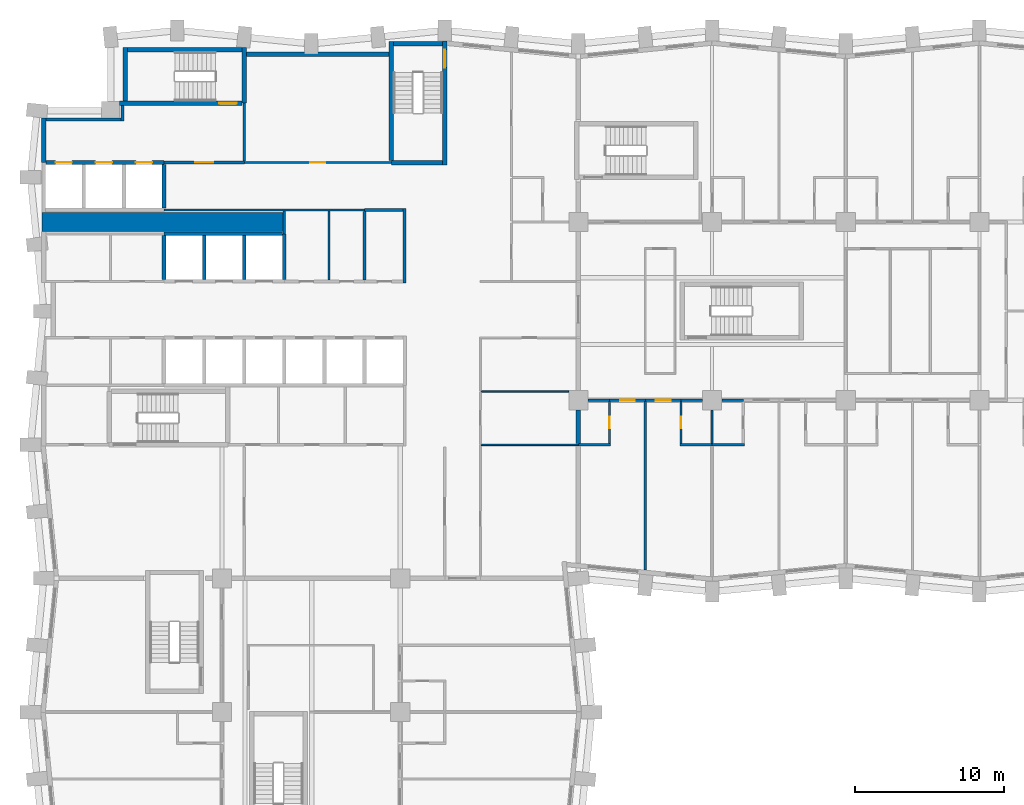
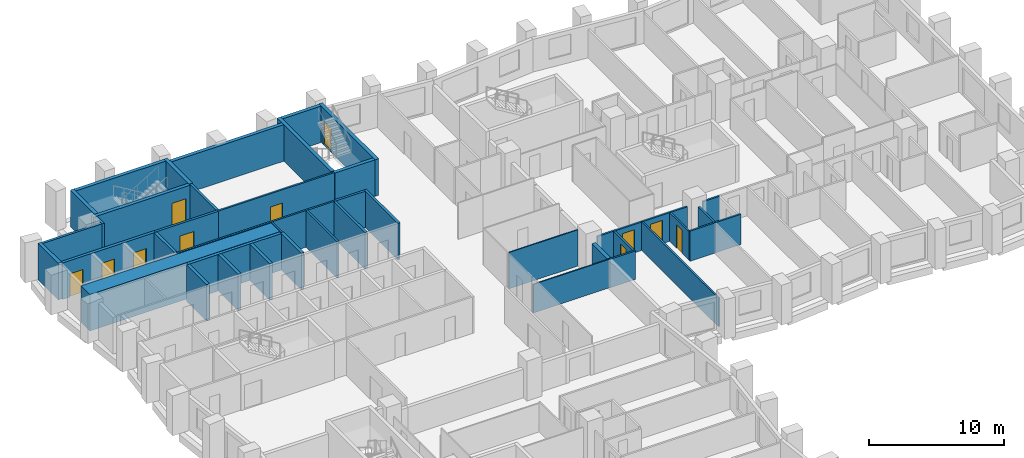
# One storey, part 7 of 13: 44 walls, 11 doors, 11 openings.
"""IFC4 building model written with IfcOpenShell, lengths in metres."""

import ifcopenshell
import ifcopenshell.guid

model = None  # the IFC model being written
_history = None  # IfcOwnerHistory: only IFC2X3 demands one
_inside = {}  # id of a spatial element -> (the spatial element, [elements in it])
_under = {}  # id of a project, library or spatial element -> (it, [spatial elements below it])
_declared = {}  # id of a project -> (the project, [libraries it declares])
_typed = {}  # id of a type object -> (the type object, [elements of that type])
_made_of = {}  # id of a material, layer set ... -> (it, [elements and type objects made of it])


def new_model(schema):
    """Start an empty IFC model of exactly this schema.

    Asked for "IFC4X3", IfcOpenShell would pick the latest addendum, in which some entities
    have other attributes; the version numbers below select the first issue.
    IFC2X3 requires an IfcOwnerHistory on every rooted entity: one is made here for all.
    """
    global model, _history
    if schema == "IFC4X3":
        model = ifcopenshell.file(schema_version=(4, 3, 0, 0))
    else:
        model = ifcopenshell.file(schema=schema)
    _inside.clear()
    _under.clear()
    _declared.clear()
    _typed.clear()
    _made_of.clear()
    _history = None
    if model.schema == "IFC2X3":
        org = make("IfcOrganization", Name="unknown")
        user = make(
            "IfcPersonAndOrganization",
            ThePerson=make("IfcPerson", FamilyName="unknown"),
            TheOrganization=org,
        )
        app = make(
            "IfcApplication",
            ApplicationDeveloper=org,
            Version="unknown",
            ApplicationFullName="unknown",
            ApplicationIdentifier="unknown",
        )
        _history = make(
            "IfcOwnerHistory",
            OwningUser=user,
            OwningApplication=app,
            ChangeAction="ADDED",
            CreationDate=0,
        )
    return model


def make(cls, **values):
    """One entity of the class cls with the attributes given. An attribute that is None is left unset."""
    return model.create_entity(
        cls, **{name: value for name, value in values.items() if value is not None}
    )


def rooted(cls, **values):
    """An entity with a GlobalId (a new one), such as an element, a storey or a relation."""
    return make(cls, GlobalId=ifcopenshell.guid.new(), OwnerHistory=_history, **values)


def si_unit(unit_type, name, prefix=None):
    """IfcSIUnit, for example si_unit("LENGTHUNIT", "METRE", prefix="MILLI")."""
    return make("IfcSIUnit", UnitType=unit_type, Prefix=prefix, Name=name)


def assignment(units):
    """IfcUnitAssignment: the units of a project."""
    return None if units is None else make("IfcUnitAssignment", Units=units)


def point(xyz):
    """IfcCartesianPoint."""
    return None if xyz is None else make("IfcCartesianPoint", Coordinates=xyz)


def direction(xyz):
    """IfcDirection."""
    return None if xyz is None else make("IfcDirection", DirectionRatios=xyz)


def frame(location, z_axis=None, x_axis=None):
    """IfcAxis2Placement3D, a coordinate frame: its origin and axes. An axis left out is left unset."""
    return make(
        "IfcAxis2Placement3D",
        Location=point(location),
        Axis=direction(z_axis),
        RefDirection=direction(x_axis),
    )


def frame_2d(location, x_axis=None):
    """IfcAxis2Placement2D, a coordinate frame in the plane: its origin and x axis."""
    return make(
        "IfcAxis2Placement2D", Location=point(location), RefDirection=direction(x_axis)
    )


def origin():
    """The frame at (0, 0, 0) with its axes left unset."""
    return frame((0.0, 0.0, 0.0))


def place(relative_to, where):
    """IfcLocalPlacement: puts the frame where relative to a parent placement (None: the world)."""
    return make(
        "IfcLocalPlacement", PlacementRelTo=relative_to, RelativePlacement=where
    )


def context(
    kind, dimensions, precision=None, world=None, true_north=None, identifier=None
):
    """IfcGeometricRepresentationContext, for example the 3D "Model" context."""
    return make(
        "IfcGeometricRepresentationContext",
        ContextIdentifier=identifier,
        ContextType=kind,
        CoordinateSpaceDimension=dimensions,
        Precision=precision,
        WorldCoordinateSystem=world,
        TrueNorth=true_north,
    )


def subcontext(parent, identifier, kind, view, scale=None):
    """IfcGeometricRepresentationSubContext, for example "Body" below "Model"."""
    return make(
        "IfcGeometricRepresentationSubContext",
        ContextIdentifier=identifier,
        ContextType=kind,
        ParentContext=parent,
        TargetScale=scale,
        TargetView=view,
    )


def project(units=None, contexts=None):
    """IfcProject with its units and contexts."""
    return rooted(
        "IfcProject",
        Name="project",
        RepresentationContexts=contexts,
        UnitsInContext=assignment(units),
    )


def spatial(cls, under=None, at=None, **own):
    """A site, building, storey or space (cls), placed at a placement, below another one or the project."""
    s = rooted(cls, ObjectPlacement=at, **own)
    if under is not None:
        _under.setdefault(under.id(), (under, []))[1].append(s)
    return s


def profile(cls, at=None, kind="AREA", **sizes):
    """A parametric profile (cls). Its sizes go by their IFC names, for example OverallWidth=200.0."""
    return make(cls, ProfileType=kind, Position=at, **sizes)


def rectangle(**sizes):
    """IfcRectangleProfileDef."""
    return profile("IfcRectangleProfileDef", **sizes)


def extrude(swept, where, along, depth):
    """IfcExtrudedAreaSolid: the profile swept, set in the frame where, extruded along a direction by depth."""
    return make(
        "IfcExtrudedAreaSolid",
        SweptArea=swept,
        Position=where,
        ExtrudedDirection=direction(along),
        Depth=depth,
    )


def shape(context_of_items, identifier, shape_type, items):
    """IfcShapeRepresentation: the items that make up one representation, for example the "Body"."""
    return make(
        "IfcShapeRepresentation",
        ContextOfItems=context_of_items,
        RepresentationIdentifier=identifier,
        RepresentationType=shape_type,
        Items=items,
    )


def material(Name=None, Category=None):
    """IfcMaterial."""
    return make("IfcMaterial", Name=Name, Category=Category)


def layer(
    of_material, thickness, ventilated=None, Name=None, Category=None, Priority=None
):
    """IfcMaterialLayer: one layer of a wall or slab, of a material (None: an air gap)."""
    return make(
        "IfcMaterialLayer",
        Material=of_material,
        LayerThickness=thickness,
        IsVentilated=ventilated,
        Name=Name,
        Category=Category,
        Priority=Priority,
    )


def layer_set(layers, Name=None):
    """IfcMaterialLayerSet."""
    return make("IfcMaterialLayerSet", MaterialLayers=layers, LayerSetName=Name)


def made_of(thing, what):
    """Note that an element or type object is made of a material, layer set ...; save() writes the relation."""
    if what is not None:
        _made_of.setdefault(what.id(), (what, []))[1].append(thing)
    return thing


def type_object(cls, material=None, **own):
    """A type object (cls), such as IfcWallType, which elements share."""
    return made_of(rooted(cls, **own), material)


def element(
    cls,
    number,
    at=None,
    inside=None,
    cuts=None,
    type_object=None,
    material=None,
    context=None,
    identifier="Body",
    shape_type=None,
    held_by="IfcProductDefinitionShape",
    body=None,
    shapes=None,
    **own,
):
    """One element of the class cls, such as IfcWall. Its Tag is "e" and its number.

    at: its placement. inside: the storey or other place that contains it. cuts: it is an
    opening in that element (IfcRelVoidsElement). A single representation is given by context,
    identifier, shape_type and body (its items); several are given by shapes. held_by: the class
    of the entity that holds the representations. save() writes the other relations.
    """
    e = rooted(cls, Tag="e%d" % number, ObjectPlacement=at, **own)
    if body is not None:
        shapes = [shape(context, identifier, shape_type, body)]
    if shapes is not None:
        e.Representation = make(held_by, Representations=shapes)
    if inside is not None:
        _inside.setdefault(inside.id(), (inside, []))[1].append(e)
    if cuts is not None:
        rooted(
            "IfcRelVoidsElement", RelatingBuildingElement=cuts, RelatedOpeningElement=e
        )
    if type_object is not None:
        _typed.setdefault(type_object.id(), (type_object, []))[1].append(e)
    return made_of(e, material)


def fill(opening, filler):
    """IfcRelFillsElement: the door or window that sits in an opening."""
    return rooted(
        "IfcRelFillsElement",
        RelatingOpeningElement=opening,
        RelatedBuildingElement=filler,
    )


def aggregate(whole, parts):
    """IfcRelAggregates: a whole, such as a stair, and the parts it consists of."""
    return rooted("IfcRelAggregates", RelatingObject=whole, RelatedObjects=parts)


def save(model, path):
    """Write the relations noted so far, then the file.

    IfcRelAggregates (storeys below a building ...), IfcRelContainedInSpatialStructure (elements
    in a storey), IfcRelDefinesByType, IfcRelAssociatesMaterial and IfcRelDeclares: one each for
    every whole, place, type object, material and project.
    """
    for whole, parts in _under.values():
        aggregate(whole, parts)
    for where, things in _inside.values():
        rooted(
            "IfcRelContainedInSpatialStructure",
            RelatedElements=things,
            RelatingStructure=where,
        )
    for kind, things in _typed.values():
        rooted("IfcRelDefinesByType", RelatedObjects=things, RelatingType=kind)
    for what, things in _made_of.values():
        rooted("IfcRelAssociatesMaterial", RelatedObjects=things, RelatingMaterial=what)
    for by, libraries in _declared.values():
        rooted("IfcRelDeclares", RelatingContext=by, RelatedDefinitions=libraries)
    model.write(path)


model = new_model("IFC4")

# Units and contexts
model_context = context("Model", 3, precision=1e-05, world=origin(), true_north=direction((0.0, 1.0)))
body_context = subcontext(model_context, "Body", "Model", "MODEL_VIEW")
ifc_project = project(units=[si_unit("LENGTHUNIT", "METRE"), si_unit("AREAUNIT", "SQUARE_METRE"), si_unit("VOLUMEUNIT", "CUBIC_METRE"), si_unit("PLANEANGLEUNIT", "RADIAN"), si_unit("MASSUNIT", "GRAM", prefix="KILO")], contexts=[model_context])

# Site, building, storey
site_placement = place(None, origin())
site = spatial("IfcSite", under=ifc_project, at=site_placement, CompositionType="ELEMENT")
building_placement = place(site_placement, origin())
building = spatial("IfcBuilding", under=site, at=building_placement, Name="Brondeck Convention Tower", CompositionType="ELEMENT")
storey_placement = place(building_placement, frame((0.0, 0.0, 41.10009765625)))
storey = spatial("IfcBuildingStorey", under=building, at=storey_placement, Name="L07", CompositionType="ELEMENT", Elevation=41.10009765625)

# Walls
ifc_material_1 = material(Name="Concrete compartment wall C30/37", Category="concrete")
ifc_layer_1 = layer(ifc_material_1, 0.300048828125)
ifc_layer_set_1 = layer_set([ifc_layer_1], Name="Compartment wall 300")
wall_type_1 = type_object("IfcWallType", Name="Compartment wall 300", PredefinedType="PARTITIONING", material=ifc_layer_set_1)
wall_1_placement = place(storey_placement, frame((36.0, 38.344970703125, 0.0), z_axis=(0.0, 0.0, 1.0), x_axis=(0.0, -1.0, 0.0)))
element("IfcWall", 1, at=wall_1_placement, inside=storey, type_object=wall_type_1, Name="FLR-L07-W077", PredefinedType="PARTITIONING", context=body_context, shape_type="SweptSolid", body=[
    extrude(rectangle(XDim=2.27001953125, YDim=0.300048828125, at=frame_2d((1.135009765625, 0.0))), origin(), (0.0, 0.0, 1.0), 2.579833984375),
])
ifc_material_2 = material(Name="Concrete C80/95", Category="concrete")
ifc_layer_2 = layer(ifc_material_2, 0.199951171875)
ifc_layer_set_2 = layer_set([ifc_layer_2], Name="Core beam-seat wall 200 Concrete C80/95")
wall_type_2 = type_object("IfcWallType", Name="Core beam-seat wall 200 Concrete C80/95", PredefinedType="SHEAR", material=ifc_layer_set_2)
wall_2_placement = place(storey_placement, frame((24.300048828125, 46.89990234375, 0.0), z_axis=(0.0, 0.0, 1.0), x_axis=(0.0, 1.0, 0.0)))
element("IfcWall", 2, at=wall_2_placement, inside=storey, type_object=wall_type_2, Name="L07 core wall", PredefinedType="SHEAR", context=body_context, shape_type="SweptSolid", body=[
    extrude(rectangle(XDim=5.0, YDim=0.199951171875, at=frame_2d((2.5, 0.0))), origin(), (0.0, 0.0, 1.0), 3.2998046875),
])
ifc_layer_3 = layer(ifc_material_2, 0.300048828125)
ifc_layer_set_3 = layer_set([ifc_layer_3], Name="Core outer wall 300 Concrete C80/95")
wall_type_3 = type_object("IfcWallType", Name="Core outer wall 300 Concrete C80/95", PredefinedType="SHEAR", material=ifc_layer_set_3)
wall_3_placement = place(storey_placement, frame((13.64990234375, 62.300048828125, 0.0), z_axis=(0.0, 0.0, 1.0), x_axis=(1.0, 0.0, 0.0)))
element("IfcWall", 3, at=wall_3_placement, inside=storey, type_object=wall_type_3, Name="L07 core wall", PredefinedType="SHEAR", context=body_context, shape_type="SweptSolid", body=[
    extrude(rectangle(XDim=9.60009765625, YDim=0.300048828125, at=frame_2d((4.800048828125, 0.0))), origin(), (0.0, 0.0, 1.0), 3.2998046875),
])
wall_4_placement = place(storey_placement, frame((0.0, 55.0, 0.0), z_axis=(0.0, 0.0, 1.0), x_axis=(0.0, 1.0, 0.0)))
element("IfcWall", 4, at=wall_4_placement, inside=storey, type_object=wall_type_3, Name="L07 core wall", PredefinedType="SHEAR", context=body_context, shape_type="SweptSolid", body=[
    extrude(rectangle(XDim=3.0, YDim=0.300048828125, at=frame_2d((1.5, 0.0))), origin(), (0.0, 0.0, 1.0), 3.2998046875),
])
ifc_material_3 = material(Name="Fire-rated gypsum board partition")
ifc_layer_4 = layer(ifc_material_3, 0.14990234375)
ifc_layer_set_4 = layer_set([ifc_layer_4], Name="Core partition 150 EI 60")
wall_type_4 = type_object("IfcWallType", Name="Core partition 150 EI 60", PredefinedType="PARTITIONING", material=ifc_layer_set_4)
wall_5_placement = place(storey_placement, frame((8.10009765625, 51.800048828125, 0.0), z_axis=(0.0, 0.0, 1.0), x_axis=(1.0, 0.0, 0.0)))
element("IfcWall", 5, at=wall_5_placement, inside=storey, type_object=wall_type_4, Name="L07 core wall", PredefinedType="PARTITIONING", context=body_context, shape_type="SweptSolid", body=[
    extrude(rectangle(XDim=13.5, YDim=0.14990234375, at=frame_2d((6.75, 0.0))), origin(), (0.0, 0.0, 1.0), 3.2998046875),
])

# Wall, opening, door
wall_6_placement = place(storey_placement, frame((13.5, 55.0, 0.0), z_axis=(0.0, 0.0, 1.0), x_axis=(1.0, 0.0, 0.0)))
wall_6 = element("IfcWall", 6, at=wall_6_placement, inside=storey, type_object=wall_type_4, Name="L07 core wall", PredefinedType="PARTITIONING", context=body_context, shape_type="SweptSolid", body=[
    extrude(rectangle(XDim=9.89990234375, YDim=0.14990234375, at=frame_2d((4.949951171875, 0.0))), origin(), (0.0, 0.0, 1.0), 3.2998046875),
])
opening_1_placement = place(wall_6_placement, frame((4.449951171875, 0.0, 0.0)))
opening_1 = element("IfcOpeningElement", 7, at=opening_1_placement, cuts=wall_6, Name="Opening C08-13", PredefinedType="OPENING", context=body_context, shape_type="SweptSolid", body=[
    extrude(rectangle(XDim=1.0, YDim=2.10009765625, at=frame_2d((0.5, 1.050048828125))), frame((0.0, 0.0849609375, 0.0), z_axis=(0.0, -1.0, 0.0), x_axis=(1.0, 0.0, 0.0)), (0.0, 0.0, 1.0), 0.169921875),
])
ifc_material_4 = material(Name="Steel fire door", Category="steel")
door_type_1 = type_object("IfcDoorType", Name="Room door 1000x2100 EI 60", OperationType="NOTDEFINED", PredefinedType="DOOR", material=ifc_material_4)
door_1_placement = place(opening_1_placement, origin())
door_1 = element("IfcDoor", 8, at=door_1_placement, inside=storey, type_object=door_type_1, Name="L07 Room door NE-1", OperationType="SINGLE_SWING_LEFT", OverallHeight=2.10009765625, OverallWidth=1.0, PredefinedType="DOOR", context=body_context, shape_type="SweptSolid", body=[
    extrude(rectangle(XDim=1.0, YDim=2.10009765625, at=frame_2d((0.5, 1.050048828125))), frame((0.0, 0.02490234375, 0.0), z_axis=(0.0, -1.0, 0.0), x_axis=(1.0, 0.0, 0.0)), (0.0, 0.0, 1.0), 0.050048828125),
])
fill(opening_1, door_1)

# Walls
wall_7_placement = place(storey_placement, frame((16.199951171875, 50.199951171875, 0.0), z_axis=(0.0, 0.0, 1.0), x_axis=(0.0, 1.0, 0.0)))
element("IfcWall", 9, at=wall_7_placement, inside=storey, type_object=wall_type_4, Name="L07 core wall", PredefinedType="PARTITIONING", context=body_context, shape_type="SweptSolid", body=[
    extrude(rectangle(XDim=1.525146484375, YDim=0.14990234375, at=frame_2d((0.7626953125, 0.0))), origin(), (0.0, 0.0, 1.0), 3.2998046875),
])
wall_8_placement = place(storey_placement, frame((19.199951171875, 47.10009765625, 0.0), z_axis=(0.0, 0.0, 1.0), x_axis=(0.0, 1.0, 0.0)))
element("IfcWall", 10, at=wall_8_placement, inside=storey, type_object=wall_type_4, Name="L07 core wall", PredefinedType="PARTITIONING", context=body_context, shape_type="SweptSolid", body=[
    extrude(rectangle(XDim=4.625, YDim=0.14990234375, at=frame_2d((2.3125, 0.0))), origin(), (0.0, 0.0, 1.0), 3.2998046875),
])
ifc_layer_5 = layer(ifc_material_2, 1.300048828125)
ifc_layer_set_5 = layer_set([ifc_layer_5], Name="Core shear wall 1300 Concrete C80/95")
wall_type_5 = type_object("IfcWallType", Name="Core shear wall 1300 Concrete C80/95", PredefinedType="SHEAR", material=ifc_layer_set_5)
wall_9_placement = place(storey_placement, frame((-0.125, 51.0, 0.0), z_axis=(0.0, 0.0, 1.0), x_axis=(1.0, 0.0, 0.0)))
element("IfcWall", 11, at=wall_9_placement, inside=storey, type_object=wall_type_5, Name="L07 core wall", PredefinedType="SHEAR", context=body_context, shape_type="SweptSolid", body=[
    extrude(rectangle(XDim=16.22509765625, YDim=1.300048828125, at=frame_2d((8.112548828125, 0.0))), origin(), (0.0, 0.0, 1.0), 3.2998046875),
])

# Wall, opening, door
ifc_layer_6 = layer(ifc_material_3, 0.199951171875)
ifc_layer_set_6 = layer_set([ifc_layer_6], Name="Firefighting lobby wall 200 EI 120")
wall_type_6 = type_object("IfcWallType", Name="Firefighting lobby wall 200 EI 120", PredefinedType="PARTITIONING", material=ifc_layer_set_6)
wall_10_placement = place(storey_placement, frame((8.10009765625, 55.0, 0.0), z_axis=(0.0, 0.0, 1.0), x_axis=(1.0, 0.0, 0.0)))
wall_10 = element("IfcWall", 12, at=wall_10_placement, inside=storey, type_object=wall_type_6, Name="L07 core wall", PredefinedType="PARTITIONING", context=body_context, shape_type="SweptSolid", body=[
    extrude(rectangle(XDim=5.39990234375, YDim=0.199951171875, at=frame_2d((2.699951171875, 0.0))), origin(), (0.0, 0.0, 1.0), 3.2998046875),
])
opening_2_placement = place(wall_10_placement, frame((2.10009765625, 0.0, 0.0)))
opening_2 = element("IfcOpeningElement", 13, at=opening_2_placement, cuts=wall_10, Name="Opening C08-01", PredefinedType="OPENING", context=body_context, shape_type="SweptSolid", body=[
    extrude(rectangle(XDim=1.199951171875, YDim=2.199951171875, at=frame_2d((0.60009765625, 1.10009765625))), frame((0.0, 0.10986328125, 0.0), z_axis=(0.0, -1.0, 0.0), x_axis=(1.0, 0.0, 0.0)), (0.0, 0.0, 1.0), 0.219970703125),
])
door_type_2 = type_object("IfcDoorType", Name="Firefighting lobby door 1200x2200 EI 120", OperationType="NOTDEFINED", PredefinedType="DOOR", material=ifc_material_4)
door_2_placement = place(opening_2_placement, origin())
door_2 = element("IfcDoor", 14, at=door_2_placement, inside=storey, type_object=door_type_2, Name="L07 Firefighting lobby door FFL-1", OperationType="SINGLE_SWING_RIGHT", OverallHeight=2.199951171875, OverallWidth=1.199951171875, PredefinedType="DOOR", context=body_context, shape_type="SweptSolid", body=[
    extrude(rectangle(XDim=1.199951171875, YDim=2.199951171875, at=frame_2d((0.60009765625, 1.10009765625))), frame((0.0, 0.02490234375, 0.0), z_axis=(0.0, -1.0, 0.0), x_axis=(1.0, 0.0, 0.0)), (0.0, 0.0, 1.0), 0.050048828125),
])
fill(opening_2, door_2)

# Walls
wall_11_placement = place(storey_placement, frame((0.14990234375, 57.89990234375, 0.0), z_axis=(0.0, 0.0, 1.0), x_axis=(1.0, 0.0, 0.0)))
element("IfcWall", 15, at=wall_11_placement, inside=storey, type_object=wall_type_6, Name="L07 core wall", PredefinedType="PARTITIONING", context=body_context, shape_type="SweptSolid", body=[
    extrude(rectangle(XDim=5.050048828125, YDim=0.199951171875, at=frame_2d((2.52490234375, 0.0))), origin(), (0.0, 0.0, 1.0), 3.2998046875),
])
wall_12_placement = place(storey_placement, frame((5.300048828125, 57.800048828125, 0.0), z_axis=(0.0, 0.0, 1.0), x_axis=(0.0, 1.0, 0.0)))
element("IfcWall", 16, at=wall_12_placement, inside=storey, type_object=wall_type_6, Name="L07 core wall", PredefinedType="PARTITIONING", context=body_context, shape_type="SweptSolid", body=[
    extrude(rectangle(XDim=1.050048828125, YDim=0.199951171875, at=frame_2d((0.52490234375, 0.0))), origin(), (0.0, 0.0, 1.0), 3.2998046875),
])
wall_13_placement = place(storey_placement, frame((13.5, 55.10009765625, 0.0), z_axis=(0.0, 0.0, 1.0), x_axis=(0.0, 1.0, 0.0)))
element("IfcWall", 17, at=wall_13_placement, inside=storey, type_object=wall_type_6, Name="L07 core wall", PredefinedType="PARTITIONING", context=body_context, shape_type="SweptSolid", body=[
    extrude(rectangle(XDim=3.89990234375, YDim=0.199951171875, at=frame_2d((1.949951171875, 0.0))), origin(), (0.0, 0.0, 1.0), 3.2998046875),
])
ifc_material_5 = material(Name="Double gypsum board acoustic wall")
ifc_layer_7 = layer(ifc_material_5, 0.14990234375)
ifc_layer_set_7 = layer_set([ifc_layer_7], Name="Guest room party wall 150")
wall_type_7 = type_object("IfcWallType", Name="Guest room party wall 150", PredefinedType="PARTITIONING", material=ifc_layer_set_7)
wall_14_placement = place(storey_placement, frame((36.0, 36.0, 0.0), z_axis=(0.0, 0.0, 1.0), x_axis=(1.0, 0.0, 0.0)))
element("IfcWall", 18, at=wall_14_placement, inside=storey, type_object=wall_type_7, Name="FLR-L07-W066", PredefinedType="PARTITIONING", context=body_context, shape_type="SweptSolid", body=[
    extrude(rectangle(XDim=2.175048828125, YDim=0.14990234375, at=frame_2d((1.08740234375, 0.0))), origin(), (0.0, 0.0, 1.0), 2.579833984375),
])
for number, where, z_axis, x_axis, name in (
    (19, (42.824951171875, 36.0, 0.0), (0.0, 0.0, 1.0), (1.0, 0.0, 0.0), "FLR-L07-W067"),
    (20, (45.0, 36.0, 0.0), (0.0, 0.0, 1.0), (1.0, 0.0, 0.0), "FLR-L07-W068"),
):
    element("IfcWall", number, at=place(storey_placement, frame(where, z_axis=z_axis, x_axis=x_axis)), inside=storey, type_object=wall_type_7, Name=name, PredefinedType="PARTITIONING", context=body_context, shape_type="SweptSolid", body=[
        extrude(rectangle(XDim=2.175048828125, YDim=0.14990234375, at=frame_2d((1.08740234375, 0.0))), origin(), (0.0, 0.0, 1.0), 2.72998046875),
    ])

# Wall, opening, door
wall_15_placement = place(storey_placement, frame((38.10009765625, 36.074951171875, 0.0), z_axis=(0.0, 0.0, 1.0), x_axis=(0.0, 1.0, 0.0)))
wall_15 = element("IfcWall", 21, at=wall_15_placement, inside=storey, type_object=wall_type_7, Name="FLR-L07-W073", PredefinedType="PARTITIONING", context=body_context, shape_type="SweptSolid", body=[
    extrude(rectangle(XDim=2.85009765625, YDim=0.14990234375, at=frame_2d((1.425048828125, 0.0))), origin(), (0.0, 0.0, 1.0), 2.579833984375),
])
opening_3_placement = place(wall_15_placement, frame((1.02490234375, 0.0, 0.0)))
opening_3 = element("IfcOpeningElement", 22, at=opening_3_placement, cuts=wall_15, Name="Opening H1-011", PredefinedType="OPENING", context=body_context, shape_type="SweptSolid", body=[
    extrude(rectangle(XDim=0.800048828125, YDim=2.10009765625, at=frame_2d((0.39990234375, 1.050048828125))), frame((0.0, 0.0849609375, 0.0), z_axis=(0.0, -1.0, 0.0), x_axis=(1.0, 0.0, 0.0)), (0.0, 0.0, 1.0), 0.169921875),
])
ifc_material_6 = material(Name="Solid timber door leaf", Category="wood")
door_type_3 = type_object("IfcDoorType", Name="En-suite door 800", OperationType="NOTDEFINED", PredefinedType="DOOR", material=ifc_material_6)
door_3_placement = place(opening_3_placement, origin())
door_3 = element("IfcDoor", 23, at=door_3_placement, inside=storey, type_object=door_type_3, Name="Door H1-011", OperationType="SINGLE_SWING_LEFT", OverallHeight=2.10009765625, OverallWidth=0.800048828125, PredefinedType="DOOR", context=body_context, shape_type="SweptSolid", body=[
    extrude(rectangle(XDim=0.800048828125, YDim=2.10009765625, at=frame_2d((0.39990234375, 1.050048828125))), frame((0.0, 0.02490234375, 0.0), z_axis=(0.0, -1.0, 0.0), x_axis=(1.0, 0.0, 0.0)), (0.0, 0.0, 1.0), 0.050048828125),
])
fill(opening_3, door_3)

# Walls
wall_16_placement = place(storey_placement, frame((45.0, 38.344970703125, 0.0), z_axis=(0.0, 0.0, 1.0), x_axis=(0.0, -1.0, 0.0)))
element("IfcWall", 24, at=wall_16_placement, inside=storey, type_object=wall_type_7, Name="FLR-L07-W078", PredefinedType="PARTITIONING", context=body_context, shape_type="SweptSolid", body=[
    extrude(rectangle(XDim=2.27001953125, YDim=0.14990234375, at=frame_2d((1.135009765625, 0.0))), origin(), (0.0, 0.0, 1.0), 2.72998046875),
])
wall_17_placement = place(storey_placement, frame((40.5, 38.925048828125, 0.0), z_axis=(0.0, 0.0, 1.0), x_axis=(0.0, -1.0, 0.0)))
element("IfcWall", 25, at=wall_17_placement, inside=storey, type_object=wall_type_7, Name="FLR-L07-W081", PredefinedType="PARTITIONING", context=body_context, shape_type="SweptSolid", body=[
    extrude(rectangle(XDim=11.35009765625, YDim=0.14990234375, at=frame_2d((5.675048828125, 0.0))), origin(), (0.0, 0.0, 1.0), 2.579833984375),
])

# Wall, opening, door
wall_18_placement = place(storey_placement, frame((42.89990234375, 38.925048828125, 0.0), z_axis=(0.0, 0.0, 1.0), x_axis=(0.0, -1.0, 0.0)))
wall_18 = element("IfcWall", 26, at=wall_18_placement, inside=storey, type_object=wall_type_7, Name="FLR-L07-W082", PredefinedType="PARTITIONING", context=body_context, shape_type="SweptSolid", body=[
    extrude(rectangle(XDim=2.85009765625, YDim=0.14990234375, at=frame_2d((1.425048828125, 0.0))), origin(), (0.0, 0.0, 1.0), 2.579833984375),
])
opening_4_placement = place(wall_18_placement, frame((1.02490234375, 0.0, 0.0)))
opening_4 = element("IfcOpeningElement", 27, at=opening_4_placement, cuts=wall_18, Name="Opening H1-013", PredefinedType="OPENING", context=body_context, shape_type="SweptSolid", body=[
    extrude(rectangle(XDim=0.800048828125, YDim=2.10009765625, at=frame_2d((0.39990234375, 1.050048828125))), frame((0.0, 0.0849609375, 0.0), z_axis=(0.0, -1.0, 0.0), x_axis=(1.0, 0.0, 0.0)), (0.0, 0.0, 1.0), 0.169921875),
])
door_4_placement = place(opening_4_placement, origin())
door_4 = element("IfcDoor", 28, at=door_4_placement, inside=storey, type_object=door_type_3, Name="Door H1-013", OperationType="SINGLE_SWING_LEFT", OverallHeight=2.10009765625, OverallWidth=0.800048828125, PredefinedType="DOOR", context=body_context, shape_type="SweptSolid", body=[
    extrude(rectangle(XDim=0.800048828125, YDim=2.10009765625, at=frame_2d((0.39990234375, 1.050048828125))), frame((0.0, 0.02490234375, 0.0), z_axis=(0.0, -1.0, 0.0), x_axis=(1.0, 0.0, 0.0)), (0.0, 0.0, 1.0), 0.050048828125),
])
fill(opening_4, door_4)

# Wall
wall_19_placement = place(storey_placement, frame((38.10009765625, 39.0, 0.0), z_axis=(0.0, 0.0, 1.0), x_axis=(-1.0, 0.0, 0.0)))
element("IfcWall", 29, at=wall_19_placement, inside=storey, type_object=wall_type_7, Name="FLR-L07-W088", PredefinedType="PARTITIONING", context=body_context, shape_type="SweptSolid", body=[
    extrude(rectangle(XDim=1.445068359375, YDim=0.14990234375, at=frame_2d((0.72265625, 0.0))), origin(), (0.0, 0.0, 1.0), 2.579833984375),
])

# Wall, opening, door
wall_20_placement = place(storey_placement, frame((40.5, 39.0, 0.0), z_axis=(0.0, 0.0, 1.0), x_axis=(-1.0, 0.0, 0.0)))
wall_20 = element("IfcWall", 30, at=wall_20_placement, inside=storey, type_object=wall_type_7, Name="FLR-L07-W089", PredefinedType="PARTITIONING", context=body_context, shape_type="SweptSolid", body=[
    extrude(rectangle(XDim=2.39990234375, YDim=0.14990234375, at=frame_2d((1.199951171875, 0.0))), origin(), (0.0, 0.0, 1.0), 2.579833984375),
])
opening_5_placement = place(wall_20_placement, frame((0.699951171875, 0.0, 0.0)))
opening_5 = element("IfcOpeningElement", 31, at=opening_5_placement, cuts=wall_20, Name="Opening H1-010", PredefinedType="OPENING", context=body_context, shape_type="SweptSolid", body=[
    extrude(rectangle(XDim=1.0, YDim=2.10009765625, at=frame_2d((0.5, 1.050048828125))), frame((0.0, 0.0849609375, 0.0), z_axis=(0.0, -1.0, 0.0), x_axis=(1.0, 0.0, 0.0)), (0.0, 0.0, 1.0), 0.169921875),
])
ifc_material_7 = material(Name="Solid timber fire door leaf", Category="wood")
door_type_4 = type_object("IfcDoorType", Name="Guest room door 1000", OperationType="NOTDEFINED", PredefinedType="DOOR", material=ifc_material_7)
door_5_placement = place(opening_5_placement, origin())
door_5 = element("IfcDoor", 32, at=door_5_placement, inside=storey, type_object=door_type_4, Name="Door H1-010", OperationType="SINGLE_SWING_LEFT", OverallHeight=2.10009765625, OverallWidth=1.0, PredefinedType="DOOR", context=body_context, shape_type="SweptSolid", body=[
    extrude(rectangle(XDim=1.0, YDim=2.10009765625, at=frame_2d((0.5, 1.050048828125))), frame((0.0, 0.02490234375, 0.0), z_axis=(0.0, -1.0, 0.0), x_axis=(1.0, 0.0, 0.0)), (0.0, 0.0, 1.0), 0.050048828125),
])
fill(opening_5, door_5)

wall_21_placement = place(storey_placement, frame((42.89990234375, 39.0, 0.0), z_axis=(0.0, 0.0, 1.0), x_axis=(-1.0, 0.0, 0.0)))
wall_21 = element("IfcWall", 33, at=wall_21_placement, inside=storey, type_object=wall_type_7, Name="FLR-L07-W090", PredefinedType="PARTITIONING", context=body_context, shape_type="SweptSolid", body=[
    extrude(rectangle(XDim=2.39990234375, YDim=0.14990234375, at=frame_2d((1.199951171875, 0.0))), origin(), (0.0, 0.0, 1.0), 2.579833984375),
])
opening_6_placement = place(wall_21_placement, frame((0.699951171875, 0.0, 0.0)))
opening_6 = element("IfcOpeningElement", 34, at=opening_6_placement, cuts=wall_21, Name="Opening H1-012", PredefinedType="OPENING", context=body_context, shape_type="SweptSolid", body=[
    extrude(rectangle(XDim=1.0, YDim=2.10009765625, at=frame_2d((0.5, 1.050048828125))), frame((0.0, 0.0849609375, 0.0), z_axis=(0.0, -1.0, 0.0), x_axis=(1.0, 0.0, 0.0)), (0.0, 0.0, 1.0), 0.169921875),
])
door_6_placement = place(opening_6_placement, origin())
door_6 = element("IfcDoor", 35, at=door_6_placement, inside=storey, type_object=door_type_4, Name="Door H1-012", OperationType="SINGLE_SWING_LEFT", OverallHeight=2.10009765625, OverallWidth=1.0, PredefinedType="DOOR", context=body_context, shape_type="SweptSolid", body=[
    extrude(rectangle(XDim=1.0, YDim=2.10009765625, at=frame_2d((0.5, 1.050048828125))), frame((0.0, 0.02490234375, 0.0), z_axis=(0.0, -1.0, 0.0), x_axis=(1.0, 0.0, 0.0)), (0.0, 0.0, 1.0), 0.050048828125),
])
fill(opening_6, door_6)

# Walls
for number, where, z_axis, x_axis, name in (
    (36, (44.344970703125, 39.0, 0.0), (0.0, 0.0, 1.0), (-1.0, 0.0, 0.0), "FLR-L07-W091"),
    (37, (47.10009765625, 39.0, 0.0), (0.0, 0.0, 1.0), (-1.0, 0.0, 0.0), "FLR-L07-W092"),
):
    element("IfcWall", number, at=place(storey_placement, frame(where, z_axis=z_axis, x_axis=x_axis)), inside=storey, type_object=wall_type_7, Name=name, PredefinedType="PARTITIONING", context=body_context, shape_type="SweptSolid", body=[
        extrude(rectangle(XDim=1.445068359375, YDim=0.14990234375, at=frame_2d((0.72265625, 0.0))), origin(), (0.0, 0.0, 1.0), 2.579833984375),
    ])
ifc_layer_8 = layer(ifc_material_2, 0.25)
ifc_layer_set_8 = layer_set([ifc_layer_8], Name="Lift shaft wall 250 Concrete C80/95")
wall_type_8 = type_object("IfcWallType", Name="Lift shaft wall 250 Concrete C80/95", PredefinedType="SHEAR", material=ifc_layer_set_8)
wall_22_placement = place(storey_placement, frame((8.10009765625, 50.199951171875, 0.0), z_axis=(0.0, 0.0, 1.0), x_axis=(1.0, 0.0, 0.0)))
element("IfcWall", 38, at=wall_22_placement, inside=storey, type_object=wall_type_8, Name="L07 core wall", PredefinedType="SHEAR", context=body_context, shape_type="SweptSolid", body=[
    extrude(rectangle(XDim=7.974853515625, YDim=0.25, at=frame_2d((3.9873046875, 0.0))), origin(), (0.0, 0.0, 1.0), 3.2998046875),
])

# Wall, openings, doors
wall_23_placement = place(storey_placement, frame((0.14990234375, 55.0, 0.0), z_axis=(0.0, 0.0, 1.0), x_axis=(1.0, 0.0, 0.0)))
wall_23 = element("IfcWall", 39, at=wall_23_placement, inside=storey, type_object=wall_type_8, Name="L07 core wall", PredefinedType="SHEAR", context=body_context, shape_type="SweptSolid", body=[
    extrude(rectangle(XDim=7.9501953125, YDim=0.25, at=frame_2d((3.97509765625, 0.0))), origin(), (0.0, 0.0, 1.0), 3.2998046875),
])
opening_7_placement = place(wall_23_placement, frame((0.64990234375, 0.0, 0.0)))
opening_7 = element("IfcOpeningElement", 40, at=opening_7_placement, cuts=wall_23, Name="Opening C08-21", PredefinedType="OPENING", context=body_context, shape_type="SweptSolid", body=[
    extrude(rectangle(XDim=1.10009765625, YDim=2.10009765625, at=frame_2d((0.550048828125, 1.050048828125))), frame((0.0, 0.135009765625, 0.0), z_axis=(0.0, -1.0, 0.0), x_axis=(1.0, 0.0, 0.0)), (0.0, 0.0, 1.0), 0.27001953125),
])
opening_8_placement = place(wall_23_placement, frame((3.35009765625, 0.0, 0.0)))
opening_8 = element("IfcOpeningElement", 41, at=opening_8_placement, cuts=wall_23, Name="Opening C08-22", PredefinedType="OPENING", context=body_context, shape_type="SweptSolid", body=[
    extrude(rectangle(XDim=1.10009765625, YDim=2.10009765625, at=frame_2d((0.550048828125, 1.050048828125))), frame((0.0, 0.135009765625, 0.0), z_axis=(0.0, -1.0, 0.0), x_axis=(1.0, 0.0, 0.0)), (0.0, 0.0, 1.0), 0.27001953125),
])
opening_9_placement = place(wall_23_placement, frame((6.050048828125, 0.0, 0.0)))
opening_9 = element("IfcOpeningElement", 42, at=opening_9_placement, cuts=wall_23, Name="Opening C08-23", PredefinedType="OPENING", context=body_context, shape_type="SweptSolid", body=[
    extrude(rectangle(XDim=1.10009765625, YDim=2.10009765625, at=frame_2d((0.550048828125, 1.050048828125))), frame((0.0, 0.135009765625, 0.0), z_axis=(0.0, -1.0, 0.0), x_axis=(1.0, 0.0, 0.0)), (0.0, 0.0, 1.0), 0.27001953125),
])
ifc_material_8 = material(Name="Stainless steel lift door", Category="steel")
door_type_5 = type_object("IfcDoorType", Name="Lift landing door 1100x2100 EI 180", OperationType="DOUBLE_DOOR_SLIDING", PredefinedType="DOOR", material=ifc_material_8)
door_7_placement = place(opening_7_placement, origin())
door_7 = element("IfcDoor", 43, at=door_7_placement, inside=storey, type_object=door_type_5, Name="L07 Lift landing door FF1", OperationType="DOUBLE_DOOR_SLIDING", OverallHeight=2.10009765625, OverallWidth=1.10009765625, PredefinedType="DOOR", context=body_context, shape_type="SweptSolid", body=[
    extrude(rectangle(XDim=1.10009765625, YDim=2.10009765625, at=frame_2d((0.550048828125, 1.050048828125))), frame((0.0, 0.02490234375, 0.0), z_axis=(0.0, -1.0, 0.0), x_axis=(1.0, 0.0, 0.0)), (0.0, 0.0, 1.0), 0.050048828125),
])
fill(opening_7, door_7)
door_8_placement = place(opening_8_placement, origin())
door_8 = element("IfcDoor", 44, at=door_8_placement, inside=storey, type_object=door_type_5, Name="L07 Lift landing door FF2", OperationType="DOUBLE_DOOR_SLIDING", OverallHeight=2.10009765625, OverallWidth=1.10009765625, PredefinedType="DOOR", context=body_context, shape_type="SweptSolid", body=[
    extrude(rectangle(XDim=1.10009765625, YDim=2.10009765625, at=frame_2d((0.550048828125, 1.050048828125))), frame((0.0, 0.02490234375, 0.0), z_axis=(0.0, -1.0, 0.0), x_axis=(1.0, 0.0, 0.0)), (0.0, 0.0, 1.0), 0.050048828125),
])
fill(opening_8, door_8)
door_9_placement = place(opening_9_placement, origin())
door_9 = element("IfcDoor", 45, at=door_9_placement, inside=storey, type_object=door_type_5, Name="L07 Lift landing door FF3", OperationType="DOUBLE_DOOR_SLIDING", OverallHeight=2.10009765625, OverallWidth=1.10009765625, PredefinedType="DOOR", context=body_context, shape_type="SweptSolid", body=[
    extrude(rectangle(XDim=1.10009765625, YDim=2.10009765625, at=frame_2d((0.550048828125, 1.050048828125))), frame((0.0, 0.02490234375, 0.0), z_axis=(0.0, -1.0, 0.0), x_axis=(1.0, 0.0, 0.0)), (0.0, 0.0, 1.0), 0.050048828125),
])
fill(opening_9, door_9)

# Walls
for number, where, z_axis, x_axis, name in (
    (46, (8.10009765625, 47.125, 0.0), (0.0, 0.0, 1.0), (0.0, 1.0, 0.0), "L07 core wall"),
    (47, (8.10009765625, 51.925048828125, 0.0), (0.0, 0.0, 1.0), (0.0, 1.0, 0.0), "L07 core wall"),
    (48, (10.800048828125, 47.125, 0.0), (0.0, 0.0, 1.0), (0.0, 1.0, 0.0), "L07 core wall"),
    (49, (13.5, 47.125, 0.0), (0.0, 0.0, 1.0), (0.0, 1.0, 0.0), "L07 core wall"),
):
    element("IfcWall", number, at=place(storey_placement, frame(where, z_axis=z_axis, x_axis=x_axis)), inside=storey, type_object=wall_type_8, Name=name, PredefinedType="SHEAR", context=body_context, shape_type="SweptSolid", body=[
        extrude(rectangle(XDim=2.949951171875, YDim=0.25, at=frame_2d((1.47509765625, 0.0))), origin(), (0.0, 0.0, 1.0), 3.2998046875),
    ])
wall_24_placement = place(storey_placement, frame((16.199951171875, 47.125, 0.0), z_axis=(0.0, 0.0, 1.0), x_axis=(0.0, 1.0, 0.0)))
element("IfcWall", 50, at=wall_24_placement, inside=storey, type_object=wall_type_8, Name="L07 core wall", PredefinedType="SHEAR", context=body_context, shape_type="SweptSolid", body=[
    extrude(rectangle(XDim=3.074951171875, YDim=0.25, at=frame_2d((1.53759765625, 0.0))), origin(), (0.0, 0.0, 1.0), 3.2998046875),
])
ifc_layer_9 = layer(ifc_material_3, 0.199951171875)
ifc_layer_set_9 = layer_set([ifc_layer_9], Name="Riser wall 200 EI 120")
wall_type_9 = type_object("IfcWallType", Name="Riser wall 200 EI 120", PredefinedType="PARTITIONING", material=ifc_layer_set_9)
wall_25_placement = place(storey_placement, frame((21.60009765625, 51.800048828125, 0.0), z_axis=(0.0, 0.0, 1.0), x_axis=(1.0, 0.0, 0.0)))
element("IfcWall", 51, at=wall_25_placement, inside=storey, type_object=wall_type_9, Name="L07 core wall", PredefinedType="PARTITIONING", context=body_context, shape_type="SweptSolid", body=[
    extrude(rectangle(XDim=2.599853515625, YDim=0.199951171875, at=frame_2d((1.2998046875, 0.0))), origin(), (0.0, 0.0, 1.0), 3.2998046875),
])
wall_26_placement = place(storey_placement, frame((21.60009765625, 47.10009765625, 0.0), z_axis=(0.0, 0.0, 1.0), x_axis=(0.0, 1.0, 0.0)))
element("IfcWall", 52, at=wall_26_placement, inside=storey, type_object=wall_type_9, Name="L07 core wall", PredefinedType="PARTITIONING", context=body_context, shape_type="SweptSolid", body=[
    extrude(rectangle(XDim=4.599853515625, YDim=0.199951171875, at=frame_2d((2.2998046875, 0.0))), origin(), (0.0, 0.0, 1.0), 3.2998046875),
])
ifc_material_9 = material(Name="Gypsum board partition on steel studs", Category="steel")
ifc_layer_10 = layer(ifc_material_9, 0.10009765625)
ifc_layer_set_10 = layer_set([ifc_layer_10], Name="Room partition 100")
wall_type_10 = type_object("IfcWallType", Name="Room partition 100", PredefinedType="PARTITIONING", material=ifc_layer_set_10)
wall_27_placement = place(storey_placement, frame((36.0, 36.0, 0.0), z_axis=(0.0, 0.0, 1.0), x_axis=(-1.0, 0.0, 0.0)))
element("IfcWall", 53, at=wall_27_placement, inside=storey, type_object=wall_type_10, Name="FLR-L07-W065", PredefinedType="PARTITIONING", context=body_context, shape_type="SweptSolid", body=[
    extrude(rectangle(XDim=6.550048828125, YDim=0.10009765625, at=frame_2d((3.27490234375, 0.0))), origin(), (0.0, 0.0, 1.0), 2.579833984375),
])
wall_28_placement = place(storey_placement, frame((35.344970703125, 39.60009765625, 0.0), z_axis=(0.0, 0.0, 1.0), x_axis=(-1.0, 0.0, 0.0)))
element("IfcWall", 54, at=wall_28_placement, inside=storey, type_object=wall_type_10, Name="FLR-L07-W103", PredefinedType="PARTITIONING", context=body_context, shape_type="SweptSolid", body=[
    extrude(rectangle(XDim=5.89501953125, YDim=0.10009765625, at=frame_2d((2.947509765625, 0.0))), origin(), (0.0, 0.0, 1.0), 3.27978515625),
])
ifc_layer_11 = layer(ifc_material_2, 0.300048828125)
ifc_layer_set_11 = layer_set([ifc_layer_11], Name="Stair enclosure wall 300 Concrete C80/95")
wall_type_11 = type_object("IfcWallType", Name="Stair enclosure wall 300 Concrete C80/95", PredefinedType="SHEAR", material=ifc_layer_set_11)
wall_29_placement = place(storey_placement, frame((23.39990234375, 55.0, 0.0), z_axis=(0.0, 0.0, 1.0), x_axis=(1.0, 0.0, 0.0)))
element("IfcWall", 55, at=wall_29_placement, inside=storey, type_object=wall_type_11, Name="L07 core wall", PredefinedType="SHEAR", context=body_context, shape_type="SweptSolid", body=[
    extrude(rectangle(XDim=3.4501953125, YDim=0.300048828125, at=frame_2d((1.72509765625, 0.0))), origin(), (0.0, 0.0, 1.0), 3.2998046875),
])

# Wall, opening, door
wall_30_placement = place(storey_placement, frame((5.10009765625, 59.0, 0.0), z_axis=(0.0, 0.0, 1.0), x_axis=(1.0, 0.0, 0.0)))
wall_30 = element("IfcWall", 56, at=wall_30_placement, inside=storey, type_object=wall_type_11, Name="L07 core wall", PredefinedType="SHEAR", context=body_context, shape_type="SweptSolid", body=[
    extrude(rectangle(XDim=8.25, YDim=0.300048828125, at=frame_2d((4.125, 0.0))), origin(), (0.0, 0.0, 1.0), 3.2998046875),
])
opening_10_placement = place(wall_30_placement, frame((6.699951171875, 0.0, 0.0)))
opening_10 = element("IfcOpeningElement", 57, at=opening_10_placement, cuts=wall_30, Name="Opening C08-16", PredefinedType="OPENING", context=body_context, shape_type="SweptSolid", body=[
    extrude(rectangle(XDim=1.199951171875, YDim=2.199951171875, at=frame_2d((0.60009765625, 1.10009765625))), frame((0.0, 0.159912109375, 0.0), z_axis=(0.0, -1.0, 0.0), x_axis=(1.0, 0.0, 0.0)), (0.0, 0.0, 1.0), 0.320068359375),
])
door_type_6 = type_object("IfcDoorType", Name="Stair door 1200x2200 EI 120", OperationType="NOTDEFINED", PredefinedType="DOOR", material=ifc_material_4)
door_10_placement = place(opening_10_placement, origin())
door_10 = element("IfcDoor", 58, at=door_10_placement, inside=storey, type_object=door_type_6, Name="L07 Stair door ST-3", OperationType="SINGLE_SWING_RIGHT", OverallHeight=2.199951171875, OverallWidth=1.199951171875, PredefinedType="DOOR", context=body_context, shape_type="SweptSolid", body=[
    extrude(rectangle(XDim=1.199951171875, YDim=2.199951171875, at=frame_2d((0.60009765625, 1.10009765625))), frame((0.0, 0.02490234375, 0.0), z_axis=(0.0, -1.0, 0.0), x_axis=(1.0, 0.0, 0.0)), (0.0, 0.0, 1.0), 0.050048828125),
])
fill(opening_10, door_10)

# Walls
wall_31_placement = place(storey_placement, frame((5.64990234375, 62.60009765625, 0.0), z_axis=(0.0, 0.0, 1.0), x_axis=(1.0, 0.0, 0.0)))
element("IfcWall", 59, at=wall_31_placement, inside=storey, type_object=wall_type_11, Name="L07 core wall", PredefinedType="SHEAR", context=body_context, shape_type="SweptSolid", body=[
    extrude(rectangle(XDim=7.7001953125, YDim=0.300048828125, at=frame_2d((3.85009765625, 0.0))), origin(), (0.0, 0.0, 1.0), 3.2998046875),
])
wall_32_placement = place(storey_placement, frame((23.550048828125, 63.0, 0.0), z_axis=(0.0, 0.0, 1.0), x_axis=(1.0, 0.0, 0.0)))
element("IfcWall", 60, at=wall_32_placement, inside=storey, type_object=wall_type_11, Name="L07 core wall", PredefinedType="SHEAR", context=body_context, shape_type="SweptSolid", body=[
    extrude(rectangle(XDim=3.300048828125, YDim=0.300048828125, at=frame_2d((1.64990234375, 0.0))), origin(), (0.0, 0.0, 1.0), 3.2998046875),
])
wall_33_placement = place(storey_placement, frame((5.5, 59.14990234375, 0.0), z_axis=(0.0, 0.0, 1.0), x_axis=(0.0, 1.0, 0.0)))
element("IfcWall", 61, at=wall_33_placement, inside=storey, type_object=wall_type_11, Name="L07 core wall", PredefinedType="SHEAR", context=body_context, shape_type="SweptSolid", body=[
    extrude(rectangle(XDim=3.60009765625, YDim=0.300048828125, at=frame_2d((1.800048828125, 0.0))), origin(), (0.0, 0.0, 1.0), 3.2998046875),
])
wall_34_placement = place(storey_placement, frame((13.5, 59.0, 0.0), z_axis=(0.0, 0.0, 1.0), x_axis=(0.0, 1.0, 0.0)))
element("IfcWall", 62, at=wall_34_placement, inside=storey, type_object=wall_type_11, Name="L07 core wall", PredefinedType="SHEAR", context=body_context, shape_type="SweptSolid", body=[
    extrude(rectangle(XDim=3.75, YDim=0.300048828125, at=frame_2d((1.875, 0.0))), origin(), (0.0, 0.0, 1.0), 3.2998046875),
])
wall_35_placement = place(storey_placement, frame((23.39990234375, 55.14990234375, 0.0), z_axis=(0.0, 0.0, 1.0), x_axis=(0.0, 1.0, 0.0)))
element("IfcWall", 63, at=wall_35_placement, inside=storey, type_object=wall_type_11, Name="L07 core wall", PredefinedType="SHEAR", context=body_context, shape_type="SweptSolid", body=[
    extrude(rectangle(XDim=8.0, YDim=0.300048828125, at=frame_2d((4.0, 0.0))), origin(), (0.0, 0.0, 1.0), 3.2998046875),
])

# Wall, opening, door
wall_36_placement = place(storey_placement, frame((27.0, 54.85009765625, 0.0), z_axis=(0.0, 0.0, 1.0), x_axis=(0.0, 1.0, 0.0)))
wall_36 = element("IfcWall", 64, at=wall_36_placement, inside=storey, type_object=wall_type_11, Name="L07 core wall", PredefinedType="SHEAR", context=body_context, shape_type="SweptSolid", body=[
    extrude(rectangle(XDim=8.349853515625, YDim=0.300048828125, at=frame_2d((4.1748046875, 0.0))), origin(), (0.0, 0.0, 1.0), 3.2998046875),
])
opening_11_placement = place(wall_36_placement, frame((6.550048828125, 0.0, 0.0)))
opening_11 = element("IfcOpeningElement", 65, at=opening_11_placement, cuts=wall_36, Name="Opening C08-15", PredefinedType="OPENING", context=body_context, shape_type="SweptSolid", body=[
    extrude(rectangle(XDim=1.199951171875, YDim=2.199951171875, at=frame_2d((0.60009765625, 1.10009765625))), frame((0.0, 0.159912109375, 0.0), z_axis=(0.0, -1.0, 0.0), x_axis=(1.0, 0.0, 0.0)), (0.0, 0.0, 1.0), 0.320068359375),
])
door_type_7 = type_object("IfcDoorType", Name="Stair door 1200x2200 EI 90", OperationType="NOTDEFINED", PredefinedType="DOOR", material=ifc_material_4)
door_11_placement = place(opening_11_placement, origin())
door_11 = element("IfcDoor", 66, at=door_11_placement, inside=storey, type_object=door_type_7, Name="L07 Stair door ST-2", OperationType="SINGLE_SWING_LEFT", OverallHeight=2.199951171875, OverallWidth=1.199951171875, PredefinedType="DOOR", context=body_context, shape_type="SweptSolid", body=[
    extrude(rectangle(XDim=1.199951171875, YDim=2.199951171875, at=frame_2d((0.60009765625, 1.10009765625))), frame((0.0, 0.02490234375, 0.0), z_axis=(0.0, -1.0, 0.0), x_axis=(1.0, 0.0, 0.0)), (0.0, 0.0, 1.0), 0.050048828125),
])
fill(opening_11, door_11)

save(model, "model.ifc")
